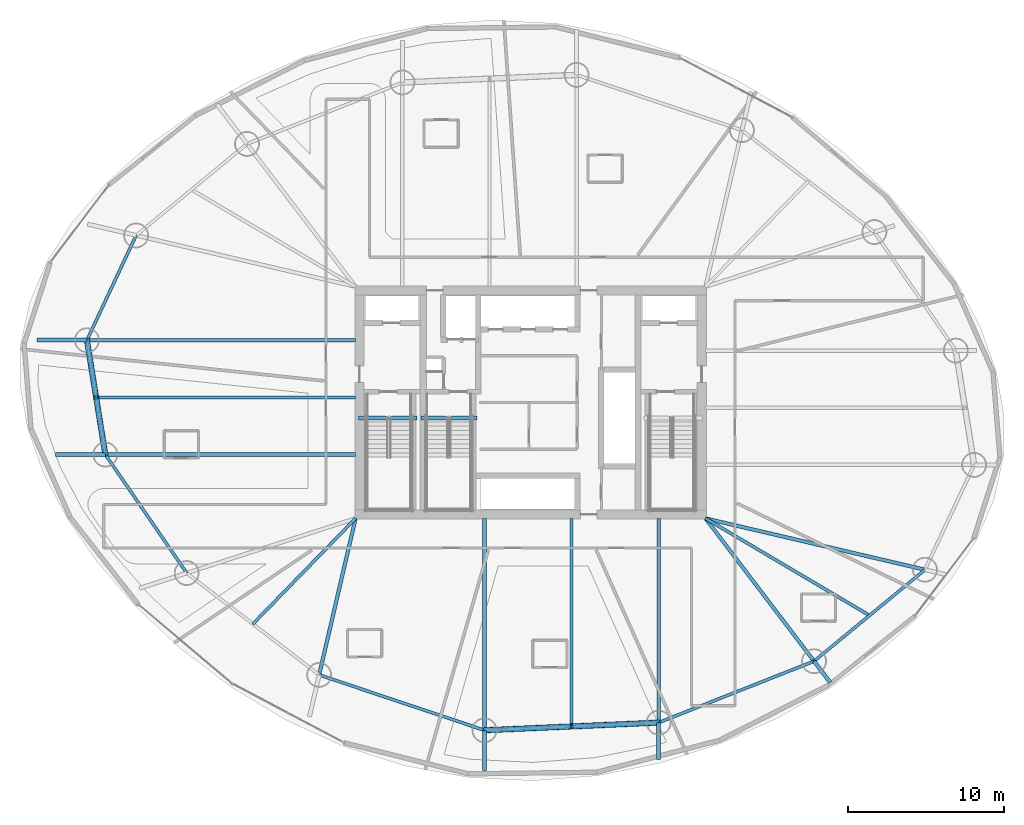
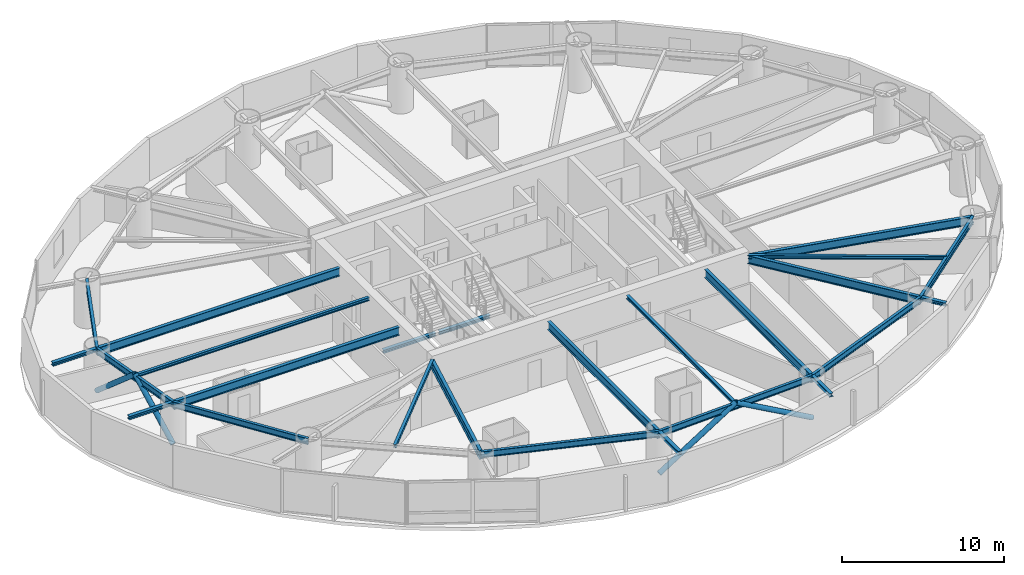
# One storey, part 4 of 19: 25 beams, 4 members.
"""IFC4 building model written with IfcOpenShell, lengths in metres."""

import ifcopenshell
import ifcopenshell.guid

model = None  # the IFC model being written
_history = None  # IfcOwnerHistory: only IFC2X3 demands one
_inside = {}  # id of a spatial element -> (the spatial element, [elements in it])
_under = {}  # id of a project, library or spatial element -> (it, [spatial elements below it])
_declared = {}  # id of a project -> (the project, [libraries it declares])
_typed = {}  # id of a type object -> (the type object, [elements of that type])
_made_of = {}  # id of a material, layer set ... -> (it, [elements and type objects made of it])


def new_model(schema):
    """Start an empty IFC model of exactly this schema.

    Asked for "IFC4X3", IfcOpenShell would pick the latest addendum, in which some entities
    have other attributes; the version numbers below select the first issue.
    IFC2X3 requires an IfcOwnerHistory on every rooted entity: one is made here for all.
    """
    global model, _history
    if schema == "IFC4X3":
        model = ifcopenshell.file(schema_version=(4, 3, 0, 0))
    else:
        model = ifcopenshell.file(schema=schema)
    _inside.clear()
    _under.clear()
    _declared.clear()
    _typed.clear()
    _made_of.clear()
    _history = None
    if model.schema == "IFC2X3":
        org = make("IfcOrganization", Name="unknown")
        user = make(
            "IfcPersonAndOrganization",
            ThePerson=make("IfcPerson", FamilyName="unknown"),
            TheOrganization=org,
        )
        app = make(
            "IfcApplication",
            ApplicationDeveloper=org,
            Version="unknown",
            ApplicationFullName="unknown",
            ApplicationIdentifier="unknown",
        )
        _history = make(
            "IfcOwnerHistory",
            OwningUser=user,
            OwningApplication=app,
            ChangeAction="ADDED",
            CreationDate=0,
        )
    return model


def make(cls, **values):
    """One entity of the class cls with the attributes given. An attribute that is None is left unset."""
    return model.create_entity(
        cls, **{name: value for name, value in values.items() if value is not None}
    )


def rooted(cls, **values):
    """An entity with a GlobalId (a new one), such as an element, a storey or a relation."""
    return make(cls, GlobalId=ifcopenshell.guid.new(), OwnerHistory=_history, **values)


def si_unit(unit_type, name, prefix=None):
    """IfcSIUnit, for example si_unit("LENGTHUNIT", "METRE", prefix="MILLI")."""
    return make("IfcSIUnit", UnitType=unit_type, Prefix=prefix, Name=name)


def assignment(units):
    """IfcUnitAssignment: the units of a project."""
    return None if units is None else make("IfcUnitAssignment", Units=units)


def point(xyz):
    """IfcCartesianPoint."""
    return None if xyz is None else make("IfcCartesianPoint", Coordinates=xyz)


def direction(xyz):
    """IfcDirection."""
    return None if xyz is None else make("IfcDirection", DirectionRatios=xyz)


def frame(location, z_axis=None, x_axis=None):
    """IfcAxis2Placement3D, a coordinate frame: its origin and axes. An axis left out is left unset."""
    return make(
        "IfcAxis2Placement3D",
        Location=point(location),
        Axis=direction(z_axis),
        RefDirection=direction(x_axis),
    )


def frame_2d(location, x_axis=None):
    """IfcAxis2Placement2D, a coordinate frame in the plane: its origin and x axis."""
    return make(
        "IfcAxis2Placement2D", Location=point(location), RefDirection=direction(x_axis)
    )


def origin():
    """The frame at (0, 0, 0) with its axes left unset."""
    return frame((0.0, 0.0, 0.0))


def origin_2d():
    """The frame at (0, 0) in the plane with its x axis left unset."""
    return frame_2d((0.0, 0.0))


def place(relative_to, where):
    """IfcLocalPlacement: puts the frame where relative to a parent placement (None: the world)."""
    return make(
        "IfcLocalPlacement", PlacementRelTo=relative_to, RelativePlacement=where
    )


def context(
    kind, dimensions, precision=None, world=None, true_north=None, identifier=None
):
    """IfcGeometricRepresentationContext, for example the 3D "Model" context."""
    return make(
        "IfcGeometricRepresentationContext",
        ContextIdentifier=identifier,
        ContextType=kind,
        CoordinateSpaceDimension=dimensions,
        Precision=precision,
        WorldCoordinateSystem=world,
        TrueNorth=true_north,
    )


def subcontext(parent, identifier, kind, view, scale=None):
    """IfcGeometricRepresentationSubContext, for example "Body" below "Model"."""
    return make(
        "IfcGeometricRepresentationSubContext",
        ContextIdentifier=identifier,
        ContextType=kind,
        ParentContext=parent,
        TargetScale=scale,
        TargetView=view,
    )


def project(units=None, contexts=None):
    """IfcProject with its units and contexts."""
    return rooted(
        "IfcProject",
        Name="project",
        RepresentationContexts=contexts,
        UnitsInContext=assignment(units),
    )


def spatial(cls, under=None, at=None, **own):
    """A site, building, storey or space (cls), placed at a placement, below another one or the project."""
    s = rooted(cls, ObjectPlacement=at, **own)
    if under is not None:
        _under.setdefault(under.id(), (under, []))[1].append(s)
    return s


def profile(cls, at=None, kind="AREA", **sizes):
    """A parametric profile (cls). Its sizes go by their IFC names, for example OverallWidth=200.0."""
    return make(cls, ProfileType=kind, Position=at, **sizes)


def hollow_circle(**sizes):
    """IfcCircleHollowProfileDef."""
    return profile("IfcCircleHollowProfileDef", **sizes)


def i_section(**sizes):
    """IfcIShapeProfileDef."""
    return profile("IfcIShapeProfileDef", **sizes)


def extrude(swept, where, along, depth):
    """IfcExtrudedAreaSolid: the profile swept, set in the frame where, extruded along a direction by depth."""
    return make(
        "IfcExtrudedAreaSolid",
        SweptArea=swept,
        Position=where,
        ExtrudedDirection=direction(along),
        Depth=depth,
    )


def shape(context_of_items, identifier, shape_type, items):
    """IfcShapeRepresentation: the items that make up one representation, for example the "Body"."""
    return make(
        "IfcShapeRepresentation",
        ContextOfItems=context_of_items,
        RepresentationIdentifier=identifier,
        RepresentationType=shape_type,
        Items=items,
    )


def material(Name=None, Category=None):
    """IfcMaterial."""
    return make("IfcMaterial", Name=Name, Category=Category)


def material_profile(
    of_material, cross_section, Name=None, Category=None, Priority=None
):
    """IfcMaterialProfile: a cross section and its material."""
    return make(
        "IfcMaterialProfile",
        Name=Name,
        Material=of_material,
        Profile=cross_section,
        Priority=Priority,
        Category=Category,
    )


def profile_set(profiles, Name=None, composite=None):
    """IfcMaterialProfileSet."""
    return make(
        "IfcMaterialProfileSet",
        Name=Name,
        MaterialProfiles=profiles,
        CompositeProfile=composite,
    )


def made_of(thing, what):
    """Note that an element or type object is made of a material, layer set ...; save() writes the relation."""
    if what is not None:
        _made_of.setdefault(what.id(), (what, []))[1].append(thing)
    return thing


def type_object(cls, material=None, **own):
    """A type object (cls), such as IfcWallType, which elements share."""
    return made_of(rooted(cls, **own), material)


def element(
    cls,
    number,
    at=None,
    inside=None,
    cuts=None,
    type_object=None,
    material=None,
    context=None,
    identifier="Body",
    shape_type=None,
    held_by="IfcProductDefinitionShape",
    body=None,
    shapes=None,
    **own,
):
    """One element of the class cls, such as IfcWall. Its Tag is "e" and its number.

    at: its placement. inside: the storey or other place that contains it. cuts: it is an
    opening in that element (IfcRelVoidsElement). A single representation is given by context,
    identifier, shape_type and body (its items); several are given by shapes. held_by: the class
    of the entity that holds the representations. save() writes the other relations.
    """
    e = rooted(cls, Tag="e%d" % number, ObjectPlacement=at, **own)
    if body is not None:
        shapes = [shape(context, identifier, shape_type, body)]
    if shapes is not None:
        e.Representation = make(held_by, Representations=shapes)
    if inside is not None:
        _inside.setdefault(inside.id(), (inside, []))[1].append(e)
    if cuts is not None:
        rooted(
            "IfcRelVoidsElement", RelatingBuildingElement=cuts, RelatedOpeningElement=e
        )
    if type_object is not None:
        _typed.setdefault(type_object.id(), (type_object, []))[1].append(e)
    return made_of(e, material)


def aggregate(whole, parts):
    """IfcRelAggregates: a whole, such as a stair, and the parts it consists of."""
    return rooted("IfcRelAggregates", RelatingObject=whole, RelatedObjects=parts)


def save(model, path):
    """Write the relations noted so far, then the file.

    IfcRelAggregates (storeys below a building ...), IfcRelContainedInSpatialStructure (elements
    in a storey), IfcRelDefinesByType, IfcRelAssociatesMaterial and IfcRelDeclares: one each for
    every whole, place, type object, material and project.
    """
    for whole, parts in _under.values():
        aggregate(whole, parts)
    for where, things in _inside.values():
        rooted(
            "IfcRelContainedInSpatialStructure",
            RelatedElements=things,
            RelatingStructure=where,
        )
    for kind, things in _typed.values():
        rooted("IfcRelDefinesByType", RelatedObjects=things, RelatingType=kind)
    for what, things in _made_of.values():
        rooted("IfcRelAssociatesMaterial", RelatedObjects=things, RelatingMaterial=what)
    for by, libraries in _declared.values():
        rooted("IfcRelDeclares", RelatingContext=by, RelatedDefinitions=libraries)
    model.write(path)


model = new_model("IFC4")

# Units and contexts
model_context = context("Model", 3, precision=1e-05, world=origin(), true_north=direction((0.0, 1.0)))
body_context = subcontext(model_context, "Body", "Model", "MODEL_VIEW")
ifc_project = project(units=[si_unit("LENGTHUNIT", "METRE"), si_unit("AREAUNIT", "SQUARE_METRE"), si_unit("VOLUMEUNIT", "CUBIC_METRE"), si_unit("PLANEANGLEUNIT", "RADIAN"), si_unit("MASSUNIT", "GRAM", prefix="KILO")], contexts=[model_context])

# Site, building, storey
site_placement = place(None, origin())
site = spatial("IfcSite", under=ifc_project, at=site_placement, CompositionType="ELEMENT")
building_placement = place(site_placement, origin())
building = spatial("IfcBuilding", under=site, at=building_placement, Name="Bramvorn Convention Spire", CompositionType="ELEMENT")
storey_placement = place(building_placement, frame((0.0, 0.0, 62.39990234375)))
storey = spatial("IfcBuildingStorey", under=building, at=storey_placement, Name="L13", CompositionType="ELEMENT", Elevation=62.39990234375)

# Beams
ifc_material = material(Name="Steel CSA G40.21 Grade 350 (350W)", Category="steel")
ifc_material_profile_1 = material_profile(ifc_material, i_section(OverallWidth=0.201904296875, OverallDepth=0.2470703125, WebThickness=0.00732421875, FlangeThickness=0.010986328125, FilletRadius=0.011962890625, at=origin_2d()))
ifc_profile_set_1 = profile_set([ifc_material_profile_1], Name="Steel CSA G40.21 Grade 350 (350W) - W250X49")
beam_type_1 = type_object("IfcBeamType", Name="BM-W250X49", PredefinedType="JOIST", material=ifc_profile_set_1)
beam_1_placement = place(storey_placement, frame((26.75, 26.333984375, 3.126708984375), z_axis=(-1.0, 0.0, 0.0), x_axis=(0.0, -1.0, 0.0)))
element("IfcBeam", 1, at=beam_1_placement, inside=storey, type_object=beam_type_1, Name="L13 composite floor joist 09", PredefinedType="JOIST", context=body_context, shape_type="SweptSolid", body=[
    extrude(i_section(OverallWidth=0.201904296875, OverallDepth=0.2470703125, WebThickness=0.00732421875, FlangeThickness=0.010986328125, FilletRadius=0.011962890625, at=origin_2d()), origin(), (0.0, 0.0, 1.0), 16.67919921875),
])
beam_2_placement = place(storey_placement, frame((26.75, 18.550048828125, 3.126708984375), z_axis=(-0.697157225069, -0.716918268378, 0.0), x_axis=(0.716918268378, -0.697157225069, 0.0)))
element("IfcBeam", 2, at=beam_2_placement, inside=storey, type_object=beam_type_1, Name="L13 composite floor joist 11", PredefinedType="JOIST", context=body_context, shape_type="SweptSolid", body=[
    extrude(i_section(OverallWidth=0.201904296875, OverallDepth=0.2470703125, WebThickness=0.00732421875, FlangeThickness=0.010986328125, FilletRadius=0.011962890625, at=origin_2d()), origin(), (0.0, 0.0, 1.0), 9.463623046875),
])
beam_3_placement = place(storey_placement, frame((40.638427734375, 18.550048828125, 3.126708984375), z_axis=(0.0, -1.0, 0.0), x_axis=(1.0, 0.0, 0.0)))
element("IfcBeam", 3, at=beam_3_placement, inside=storey, type_object=beam_type_1, Name="L13 composite floor joist 13", PredefinedType="JOIST", context=body_context, shape_type="SweptSolid", body=[
    extrude(i_section(OverallWidth=0.201904296875, OverallDepth=0.2470703125, WebThickness=0.00732421875, FlangeThickness=0.010986328125, FilletRadius=0.011962890625, at=origin_2d()), origin(), (0.0, 0.0, 1.0), 13.372802734375),
])
beam_4_placement = place(storey_placement, frame((49.25, 18.550048828125, 3.126708984375), z_axis=(0.860664556648, -0.509172388223, 0.0), x_axis=(0.509172388223, 0.860664556648, 0.0)))
element("IfcBeam", 4, at=beam_4_placement, inside=storey, type_object=beam_type_1, Name="L13 composite floor joist 15", PredefinedType="JOIST", context=body_context, shape_type="SweptSolid", body=[
    extrude(i_section(OverallWidth=0.201904296875, OverallDepth=0.2470703125, WebThickness=0.00732421875, FlangeThickness=0.010986328125, FilletRadius=0.011962890625, at=origin_2d()), origin(), (0.0, 0.0, 1.0), 12.25048828125),
])
ifc_material_profile_2 = material_profile(ifc_material, i_section(OverallWidth=0.25390625, OverallDepth=0.2529296875, WebThickness=0.008544921875, FlangeThickness=0.01416015625, FilletRadius=0.011962890625, at=origin_2d()))
ifc_profile_set_2 = profile_set([ifc_material_profile_2], Name="Steel CSA G40.21 Grade 350 (350W) - W250X73")
beam_type_2 = type_object("IfcBeamType", Name="BM-W250X73", PredefinedType="BEAM", material=ifc_profile_set_2)
for number, where, z_axis, x_axis, name in (
    (5, (9.480224609375, 30.00830078125, 3.12353515625), (-1.0, 0.0, 0.0), (0.0, -1.0, 0.0), "L13 slab-edge cantilever tip beam MC09"),
    (6, (10.661376953125, 22.659912109375, 3.12353515625), (-1.0, 0.0, 0.0), (0.0, -1.0, 0.0), "L13 slab-edge cantilever tip beam MC10"),
):
    element("IfcBeam", number, at=place(storey_placement, frame(where, z_axis=z_axis, x_axis=x_axis)), inside=storey, type_object=beam_type_2, Name=name, PredefinedType="BEAM", context=body_context, shape_type="SweptSolid", body=[
        extrude(i_section(OverallWidth=0.25390625, OverallDepth=0.2529296875, WebThickness=0.008544921875, FlangeThickness=0.01416015625, FilletRadius=0.011962890625, at=origin_2d()), origin(), (0.0, 0.0, 1.0), 3.199951171875),
    ])
beam_5_placement = place(storey_placement, frame((35.0390625, 4.93115234375, 3.12353515625), z_axis=(0.0, -1.0, 0.0), x_axis=(1.0, 0.0, 0.0)))
element("IfcBeam", 7, at=beam_5_placement, inside=storey, type_object=beam_type_2, Name="L13 slab-edge cantilever tip beam MC13", PredefinedType="BEAM", context=body_context, shape_type="SweptSolid", body=[
    extrude(i_section(OverallWidth=0.25390625, OverallDepth=0.2529296875, WebThickness=0.008544921875, FlangeThickness=0.01416015625, FilletRadius=0.011962890625, at=origin_2d()), origin(), (0.0, 0.0, 1.0), 2.59130859375),
])
beam_6_placement = place(storey_placement, frame((46.23779296875, 5.42333984375, 3.12353515625), z_axis=(0.0, -1.0, 0.0), x_axis=(1.0, 0.0, 0.0)))
element("IfcBeam", 8, at=beam_6_placement, inside=storey, type_object=beam_type_2, Name="L13 slab-edge cantilever tip beam MC14", PredefinedType="BEAM", context=body_context, shape_type="SweptSolid", body=[
    extrude(i_section(OverallWidth=0.25390625, OverallDepth=0.2529296875, WebThickness=0.008544921875, FlangeThickness=0.01416015625, FilletRadius=0.011962890625, at=origin_2d()), origin(), (0.0, 0.0, 1.0), 2.384765625),
])
beam_7_placement = place(storey_placement, frame((56.227783203125, 9.371337890625, 3.12353515625), z_axis=(0.60522704322, -0.796052904118, 0.0), x_axis=(0.796052904118, 0.60522704322, 0.0)))
element("IfcBeam", 9, at=beam_7_placement, inside=storey, type_object=beam_type_2, Name="L13 slab-edge cantilever tip beam MC15", PredefinedType="BEAM", context=body_context, shape_type="SweptSolid", body=[
    extrude(i_section(OverallWidth=0.25390625, OverallDepth=0.2529296875, WebThickness=0.008544921875, FlangeThickness=0.01416015625, FilletRadius=0.011962890625, at=origin_2d()), origin(), (0.0, 0.0, 1.0), 1.72216796875),
])
beam_8_placement = place(storey_placement, frame((26.949951171875, 25.010009765625, -0.12646484375), z_axis=(1.0, 0.0, 0.0), x_axis=(0.0, 1.0, 0.0)))
element("IfcBeam", 10, at=beam_8_placement, inside=storey, type_object=beam_type_2, Name="L13 ST1 stair arrival header beam", PredefinedType="BEAM", context=body_context, shape_type="SweptSolid", body=[
    extrude(i_section(OverallWidth=0.25390625, OverallDepth=0.2529296875, WebThickness=0.008544921875, FlangeThickness=0.01416015625, FilletRadius=0.011962890625, at=origin_2d()), origin(), (0.0, 0.0, 1.0), 3.739990234375),
])
beam_9_placement = place(storey_placement, frame((30.949951171875, 25.010009765625, -0.12646484375), z_axis=(1.0, 0.0, 0.0), x_axis=(0.0, 1.0, 0.0)))
element("IfcBeam", 11, at=beam_9_placement, inside=storey, type_object=beam_type_2, Name="L13 ST3 stair arrival header beam", PredefinedType="BEAM", context=body_context, shape_type="SweptSolid", body=[
    extrude(i_section(OverallWidth=0.25390625, OverallDepth=0.2529296875, WebThickness=0.008544921875, FlangeThickness=0.01416015625, FilletRadius=0.011962890625, at=origin_2d()), origin(), (0.0, 0.0, 1.0), 3.610107421875),
])
ifc_material_profile_3 = material_profile(ifc_material, i_section(OverallWidth=0.194091796875, OverallDepth=0.468994140625, WebThickness=0.0126953125, FlangeThickness=0.0205078125, FilletRadius=0.01806640625, at=origin_2d()))
ifc_profile_set_3 = profile_set([ifc_material_profile_3], Name="Steel CSA G40.21 Grade 350 (350W) - W460X106")
beam_type_3 = type_object("IfcBeamType", Name="BM-W460X106", PredefinedType="SPANDREL", material=ifc_profile_set_3)
for number, where, z_axis, x_axis, name in (
    (12, (12.64111328125, 36.746337890625, 3.015625), (-0.424701955478, -0.9053332254, 0.0), (0.9053332254, -0.424701955478, 0.0), "L13 mega-column ring beam 08"),
    (13, (9.480224609375, 30.00830078125, 3.015625), (0.158699222824, -0.987326975563, 0.0), (0.987326975563, 0.158699222824, 0.0), "L13 mega-column ring beam 09"),
):
    element("IfcBeam", number, at=place(storey_placement, frame(where, z_axis=z_axis, x_axis=x_axis)), inside=storey, type_object=beam_type_3, Name=name, PredefinedType="SPANDREL", context=body_context, shape_type="SweptSolid", body=[
        extrude(i_section(OverallWidth=0.194091796875, OverallDepth=0.468994140625, WebThickness=0.0126953125, FlangeThickness=0.0205078125, FilletRadius=0.01806640625, at=origin_2d()), origin(), (0.0, 0.0, 1.0), 7.442626953125),
    ])
beam_10_placement = place(storey_placement, frame((10.661376953125, 22.659912109375, 3.015625), z_axis=(0.566129730789, -0.824316157743, 0.0), x_axis=(0.824316157743, 0.566129730789, 0.0)))
element("IfcBeam", 14, at=beam_10_placement, inside=storey, type_object=beam_type_3, Name="L13 mega-column ring beam 10", PredefinedType="SPANDREL", context=body_context, shape_type="SweptSolid", body=[
    extrude(i_section(OverallWidth=0.194091796875, OverallDepth=0.468994140625, WebThickness=0.0126953125, FlangeThickness=0.0205078125, FilletRadius=0.01806640625, at=origin_2d()), origin(), (0.0, 0.0, 1.0), 9.244140625),
])
beam_11_placement = place(storey_placement, frame((24.40966796875, 8.490966796875, 3.015625), z_axis=(0.948235872727, -0.317566890078, 0.0), x_axis=(0.317566890078, 0.948235872727, 0.0)))
element("IfcBeam", 15, at=beam_11_placement, inside=storey, type_object=beam_type_3, Name="L13 mega-column ring beam 12", PredefinedType="SPANDREL", context=body_context, shape_type="SweptSolid", body=[
    extrude(i_section(OverallWidth=0.194091796875, OverallDepth=0.468994140625, WebThickness=0.0126953125, FlangeThickness=0.0205078125, FilletRadius=0.01806640625, at=origin_2d()), origin(), (0.0, 0.0, 1.0), 11.209716796875),
])
beam_12_placement = place(storey_placement, frame((35.0390625, 4.93115234375, 3.015625), z_axis=(0.999035582762, 0.043907907889, 0.0), x_axis=(-0.043907907889, 0.999035582762, 0.0)))
element("IfcBeam", 16, at=beam_12_placement, inside=storey, type_object=beam_type_3, Name="L13 mega-column ring beam 13", PredefinedType="SPANDREL", context=body_context, shape_type="SweptSolid", body=[
    extrude(i_section(OverallWidth=0.194091796875, OverallDepth=0.468994140625, WebThickness=0.0126953125, FlangeThickness=0.0205078125, FilletRadius=0.01806640625, at=origin_2d()), origin(), (0.0, 0.0, 1.0), 11.20947265625),
])
beam_13_placement = place(storey_placement, frame((46.23779296875, 5.42333984375, 3.015625), z_axis=(0.93000950609, 0.367535465749, 0.0), x_axis=(-0.367535465749, 0.93000950609, 0.0)))
element("IfcBeam", 17, at=beam_13_placement, inside=storey, type_object=beam_type_3, Name="L13 mega-column ring beam 14", PredefinedType="SPANDREL", context=body_context, shape_type="SweptSolid", body=[
    extrude(i_section(OverallWidth=0.194091796875, OverallDepth=0.468994140625, WebThickness=0.0126953125, FlangeThickness=0.0205078125, FilletRadius=0.01806640625, at=origin_2d()), origin(), (0.0, 0.0, 1.0), 10.74169921875),
])
beam_14_placement = place(storey_placement, frame((56.227783203125, 9.371337890625, 3.015625), z_axis=(0.771417680101, 0.636329130896, 0.0), x_axis=(-0.636329130896, 0.771417680101, 0.0)))
element("IfcBeam", 18, at=beam_14_placement, inside=storey, type_object=beam_type_3, Name="L13 mega-column ring beam 15", PredefinedType="SPANDREL", context=body_context, shape_type="SweptSolid", body=[
    extrude(i_section(OverallWidth=0.194091796875, OverallDepth=0.468994140625, WebThickness=0.0126953125, FlangeThickness=0.0205078125, FilletRadius=0.01806640625, at=origin_2d()), origin(), (0.0, 0.0, 1.0), 9.244140625),
])
ifc_material_profile_4 = material_profile(ifc_material, i_section(OverallWidth=0.22998046875, OverallDepth=0.616943359375, WebThickness=0.01318359375, FlangeThickness=0.022216796875, FilletRadius=0.02001953125, at=origin_2d()))
ifc_profile_set_4 = profile_set([ifc_material_profile_4], Name="Steel CSA G40.21 Grade 350 (350W) - W610X140")
beam_type_4 = type_object("IfcBeamType", Name="BM-W610X140", PredefinedType="BEAM", material=ifc_profile_set_4)
beam_15_placement = place(storey_placement, frame((26.75, 30.00830078125, 2.941650390625), z_axis=(-1.0, 0.0, 0.0), x_axis=(0.0, -1.0, 0.0)))
element("IfcBeam", 19, at=beam_15_placement, inside=storey, type_object=beam_type_4, Name="L13 radial floor girder MC09", PredefinedType="BEAM", context=body_context, shape_type="SweptSolid", body=[
    extrude(i_section(OverallWidth=0.22998046875, OverallDepth=0.616943359375, WebThickness=0.01318359375, FlangeThickness=0.022216796875, FilletRadius=0.02001953125, at=origin_2d()), origin(), (0.0, 0.0, 1.0), 17.269775390625),
])
beam_16_placement = place(storey_placement, frame((26.75, 22.659912109375, 2.941650390625), z_axis=(-1.0, 0.0, 0.0), x_axis=(0.0, -1.0, 0.0)))
element("IfcBeam", 20, at=beam_16_placement, inside=storey, type_object=beam_type_4, Name="L13 radial floor girder MC10", PredefinedType="BEAM", context=body_context, shape_type="SweptSolid", body=[
    extrude(i_section(OverallWidth=0.22998046875, OverallDepth=0.616943359375, WebThickness=0.01318359375, FlangeThickness=0.022216796875, FilletRadius=0.02001953125, at=origin_2d()), origin(), (0.0, 0.0, 1.0), 16.088623046875),
])
beam_17_placement = place(storey_placement, frame((26.75, 18.550048828125, 2.941650390625), z_axis=(-0.226606328522, -0.973986433106, 0.0), x_axis=(0.973986433106, -0.226606328522, 0.0)))
element("IfcBeam", 21, at=beam_17_placement, inside=storey, type_object=beam_type_4, Name="L13 radial floor girder MC12", PredefinedType="BEAM", context=body_context, shape_type="SweptSolid", body=[
    extrude(i_section(OverallWidth=0.22998046875, OverallDepth=0.616943359375, WebThickness=0.01318359375, FlangeThickness=0.022216796875, FilletRadius=0.02001953125, at=origin_2d()), origin(), (0.0, 0.0, 1.0), 10.32763671875),
])
beam_18_placement = place(storey_placement, frame((35.0390625, 18.550048828125, 2.941650390625), z_axis=(0.0, -1.0, 0.0), x_axis=(1.0, 0.0, 0.0)))
element("IfcBeam", 22, at=beam_18_placement, inside=storey, type_object=beam_type_4, Name="L13 radial floor girder MC13", PredefinedType="BEAM", context=body_context, shape_type="SweptSolid", body=[
    extrude(i_section(OverallWidth=0.22998046875, OverallDepth=0.616943359375, WebThickness=0.01318359375, FlangeThickness=0.022216796875, FilletRadius=0.02001953125, at=origin_2d()), origin(), (0.0, 0.0, 1.0), 13.618896484375),
])
beam_19_placement = place(storey_placement, frame((46.23779296875, 18.550048828125, 2.941650390625), z_axis=(0.0, -1.0, 0.0), x_axis=(1.0, 0.0, 0.0)))
element("IfcBeam", 23, at=beam_19_placement, inside=storey, type_object=beam_type_4, Name="L13 radial floor girder MC14", PredefinedType="BEAM", context=body_context, shape_type="SweptSolid", body=[
    extrude(i_section(OverallWidth=0.22998046875, OverallDepth=0.616943359375, WebThickness=0.01318359375, FlangeThickness=0.022216796875, FilletRadius=0.02001953125, at=origin_2d()), origin(), (0.0, 0.0, 1.0), 13.126708984375),
])
beam_20_placement = place(storey_placement, frame((49.25, 18.550048828125, 2.941650390625), z_axis=(0.605191175112, -0.796080172826, 0.0), x_axis=(0.796080172826, 0.605191175112, 0.0)))
element("IfcBeam", 24, at=beam_20_placement, inside=storey, type_object=beam_type_4, Name="L13 radial floor girder MC15", PredefinedType="BEAM", context=body_context, shape_type="SweptSolid", body=[
    extrude(i_section(OverallWidth=0.22998046875, OverallDepth=0.616943359375, WebThickness=0.01318359375, FlangeThickness=0.022216796875, FilletRadius=0.02001953125, at=origin_2d()), origin(), (0.0, 0.0, 1.0), 11.52978515625),
])
beam_21_placement = place(storey_placement, frame((49.25, 18.550048828125, 2.941650390625), z_axis=(0.973775294862, -0.227511923018, 0.0), x_axis=(0.227511923018, 0.973775294862, 0.0)))
element("IfcBeam", 25, at=beam_21_placement, inside=storey, type_object=beam_type_4, Name="L13 radial floor girder MC16", PredefinedType="BEAM", context=body_context, shape_type="SweptSolid", body=[
    extrude(i_section(OverallWidth=0.22998046875, OverallDepth=0.616943359375, WebThickness=0.01318359375, FlangeThickness=0.022216796875, FilletRadius=0.02001953125, at=origin_2d()), origin(), (0.0, 0.0, 1.0), 14.48876953125),
])

# Members
ifc_material_profile_5 = material_profile(ifc_material, hollow_circle(Radius=0.177734375, WallThickness=0.015869140625, at=origin_2d()))
ifc_profile_set_5 = profile_set([ifc_material_profile_5], Name="Steel CSA G40.21 Grade 350 (350W) - CHS356X16")
member_type = type_object("IfcMemberType", Name="MBR-CHS356X16", PredefinedType="BRACE", material=ifc_profile_set_5)
member_1_placement = place(storey_placement, frame((9.480224609375, 30.00830078125, 0.0), z_axis=(0.119529553136, -0.743662577386, 0.657783138217), x_axis=(0.987327801673, 0.158694083206, 0.0)))
element("IfcMember", 26, at=member_1_placement, inside=storey, type_object=member_type, Name="L13 perimeter Gothic lancet brace 9A", PredefinedType="BRACE", context=body_context, shape_type="SweptSolid", body=[
    extrude(hollow_circle(Radius=0.177734375, WallThickness=0.015869140625, at=origin_2d()), origin(), (0.0, 0.0, 1.0), 4.94091796875),
])
member_2_placement = place(storey_placement, frame((10.661376953125, 22.659912109375, 0.0), z_axis=(-0.119533945519, 0.74364049033, 0.657807309939), x_axis=(-0.987326149374, -0.158704362771, 0.0)))
element("IfcMember", 27, at=member_2_placement, inside=storey, type_object=member_type, Name="L13 perimeter Gothic lancet brace 9B", PredefinedType="BRACE", context=body_context, shape_type="SweptSolid", body=[
    extrude(hollow_circle(Radius=0.177734375, WallThickness=0.015869140625, at=origin_2d()), origin(), (0.0, 0.0, 1.0), 4.940673828125),
])
for number, where, z_axis, x_axis, name in (
    (28, (35.0390625, 4.93115234375, 0.0), (0.864248258726, 0.037983965328, 0.501629510363), (-0.043907907889, 0.999035582762, 0.0), "L13 perimeter Gothic lancet brace 13A"),
    (29, (46.23779296875, 5.42333984375, 0.0), (-0.864248258726, -0.037983965328, 0.501629510363), (0.043907907889, -0.999035582762, 0.0), "L13 perimeter Gothic lancet brace 13B"),
):
    element("IfcMember", number, at=place(storey_placement, frame(where, z_axis=z_axis, x_axis=x_axis)), inside=storey, type_object=member_type, Name=name, PredefinedType="BRACE", context=body_context, shape_type="SweptSolid", body=[
        extrude(hollow_circle(Radius=0.177734375, WallThickness=0.015869140625, at=origin_2d()), origin(), (0.0, 0.0, 1.0), 6.47900390625),
    ])

save(model, "model.ifc")
